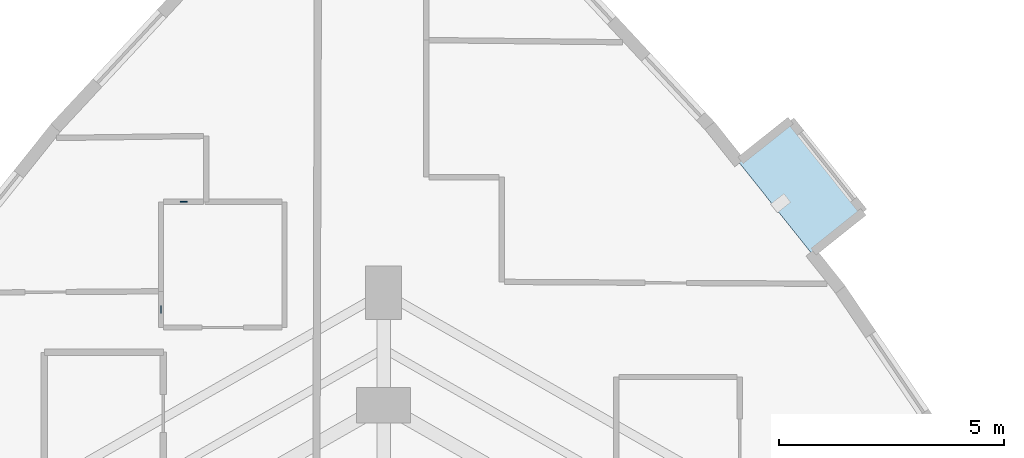
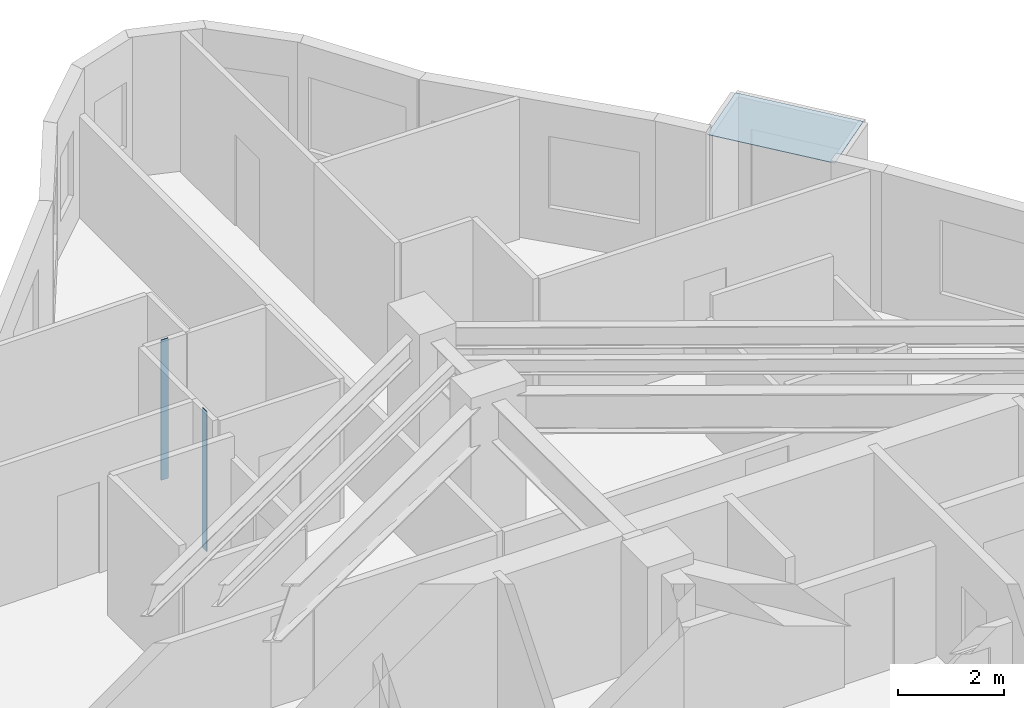
# One storey, part 7 of 14: 3 plates.
"""IFC4 building model written with IfcOpenShell, lengths in metres."""

import ifcopenshell
import ifcopenshell.guid

model = None  # the IFC model being written
_history = None  # IfcOwnerHistory: only IFC2X3 demands one
_inside = {}  # id of a spatial element -> (the spatial element, [elements in it])
_under = {}  # id of a project, library or spatial element -> (it, [spatial elements below it])
_declared = {}  # id of a project -> (the project, [libraries it declares])
_typed = {}  # id of a type object -> (the type object, [elements of that type])
_made_of = {}  # id of a material, layer set ... -> (it, [elements and type objects made of it])


def new_model(schema):
    """Start an empty IFC model of exactly this schema.

    Asked for "IFC4X3", IfcOpenShell would pick the latest addendum, in which some entities
    have other attributes; the version numbers below select the first issue.
    IFC2X3 requires an IfcOwnerHistory on every rooted entity: one is made here for all.
    """
    global model, _history
    if schema == "IFC4X3":
        model = ifcopenshell.file(schema_version=(4, 3, 0, 0))
    else:
        model = ifcopenshell.file(schema=schema)
    _inside.clear()
    _under.clear()
    _declared.clear()
    _typed.clear()
    _made_of.clear()
    _history = None
    if model.schema == "IFC2X3":
        org = make("IfcOrganization", Name="unknown")
        user = make(
            "IfcPersonAndOrganization",
            ThePerson=make("IfcPerson", FamilyName="unknown"),
            TheOrganization=org,
        )
        app = make(
            "IfcApplication",
            ApplicationDeveloper=org,
            Version="unknown",
            ApplicationFullName="unknown",
            ApplicationIdentifier="unknown",
        )
        _history = make(
            "IfcOwnerHistory",
            OwningUser=user,
            OwningApplication=app,
            ChangeAction="ADDED",
            CreationDate=0,
        )
    return model


def make(cls, **values):
    """One entity of the class cls with the attributes given. An attribute that is None is left unset."""
    return model.create_entity(
        cls, **{name: value for name, value in values.items() if value is not None}
    )


def rooted(cls, **values):
    """An entity with a GlobalId (a new one), such as an element, a storey or a relation."""
    return make(cls, GlobalId=ifcopenshell.guid.new(), OwnerHistory=_history, **values)


def si_unit(unit_type, name, prefix=None):
    """IfcSIUnit, for example si_unit("LENGTHUNIT", "METRE", prefix="MILLI")."""
    return make("IfcSIUnit", UnitType=unit_type, Prefix=prefix, Name=name)


def assignment(units):
    """IfcUnitAssignment: the units of a project."""
    return None if units is None else make("IfcUnitAssignment", Units=units)


def point(xyz):
    """IfcCartesianPoint."""
    return None if xyz is None else make("IfcCartesianPoint", Coordinates=xyz)


def direction(xyz):
    """IfcDirection."""
    return None if xyz is None else make("IfcDirection", DirectionRatios=xyz)


def frame(location, z_axis=None, x_axis=None):
    """IfcAxis2Placement3D, a coordinate frame: its origin and axes. An axis left out is left unset."""
    return make(
        "IfcAxis2Placement3D",
        Location=point(location),
        Axis=direction(z_axis),
        RefDirection=direction(x_axis),
    )


def frame_2d(location, x_axis=None):
    """IfcAxis2Placement2D, a coordinate frame in the plane: its origin and x axis."""
    return make(
        "IfcAxis2Placement2D", Location=point(location), RefDirection=direction(x_axis)
    )


def origin():
    """The frame at (0, 0, 0) with its axes left unset."""
    return frame((0.0, 0.0, 0.0))


def origin_2d():
    """The frame at (0, 0) in the plane with its x axis left unset."""
    return frame_2d((0.0, 0.0))


def place(relative_to, where):
    """IfcLocalPlacement: puts the frame where relative to a parent placement (None: the world)."""
    return make(
        "IfcLocalPlacement", PlacementRelTo=relative_to, RelativePlacement=where
    )


def context(
    kind, dimensions, precision=None, world=None, true_north=None, identifier=None
):
    """IfcGeometricRepresentationContext, for example the 3D "Model" context."""
    return make(
        "IfcGeometricRepresentationContext",
        ContextIdentifier=identifier,
        ContextType=kind,
        CoordinateSpaceDimension=dimensions,
        Precision=precision,
        WorldCoordinateSystem=world,
        TrueNorth=true_north,
    )


def subcontext(parent, identifier, kind, view, scale=None):
    """IfcGeometricRepresentationSubContext, for example "Body" below "Model"."""
    return make(
        "IfcGeometricRepresentationSubContext",
        ContextIdentifier=identifier,
        ContextType=kind,
        ParentContext=parent,
        TargetScale=scale,
        TargetView=view,
    )


def project(units=None, contexts=None):
    """IfcProject with its units and contexts."""
    return rooted(
        "IfcProject",
        Name="project",
        RepresentationContexts=contexts,
        UnitsInContext=assignment(units),
    )


def spatial(cls, under=None, at=None, **own):
    """A site, building, storey or space (cls), placed at a placement, below another one or the project."""
    s = rooted(cls, ObjectPlacement=at, **own)
    if under is not None:
        _under.setdefault(under.id(), (under, []))[1].append(s)
    return s


def polyline(points):
    """IfcPolyline through the points."""
    return make("IfcPolyline", Points=[point(p) for p in points])


def profile(cls, at=None, kind="AREA", **sizes):
    """A parametric profile (cls). Its sizes go by their IFC names, for example OverallWidth=200.0."""
    return make(cls, ProfileType=kind, Position=at, **sizes)


def rectangle(**sizes):
    """IfcRectangleProfileDef."""
    return profile("IfcRectangleProfileDef", **sizes)


def outline(outer, holes=None, kind="AREA"):
    """IfcArbitraryClosedProfileDef: a profile drawn as a closed curve; with holes, ...WithVoids."""
    if holes is None:
        return make("IfcArbitraryClosedProfileDef", ProfileType=kind, OuterCurve=outer)
    return make(
        "IfcArbitraryProfileDefWithVoids",
        ProfileType=kind,
        OuterCurve=outer,
        InnerCurves=holes,
    )


def extrude(swept, where, along, depth):
    """IfcExtrudedAreaSolid: the profile swept, set in the frame where, extruded along a direction by depth."""
    return make(
        "IfcExtrudedAreaSolid",
        SweptArea=swept,
        Position=where,
        ExtrudedDirection=direction(along),
        Depth=depth,
    )


def shape(context_of_items, identifier, shape_type, items):
    """IfcShapeRepresentation: the items that make up one representation, for example the "Body"."""
    return make(
        "IfcShapeRepresentation",
        ContextOfItems=context_of_items,
        RepresentationIdentifier=identifier,
        RepresentationType=shape_type,
        Items=items,
    )


def material(Name=None, Category=None):
    """IfcMaterial."""
    return make("IfcMaterial", Name=Name, Category=Category)


def layer(
    of_material, thickness, ventilated=None, Name=None, Category=None, Priority=None
):
    """IfcMaterialLayer: one layer of a wall or slab, of a material (None: an air gap)."""
    return make(
        "IfcMaterialLayer",
        Material=of_material,
        LayerThickness=thickness,
        IsVentilated=ventilated,
        Name=Name,
        Category=Category,
        Priority=Priority,
    )


def layer_set(layers, Name=None):
    """IfcMaterialLayerSet."""
    return make("IfcMaterialLayerSet", MaterialLayers=layers, LayerSetName=Name)


def made_of(thing, what):
    """Note that an element or type object is made of a material, layer set ...; save() writes the relation."""
    if what is not None:
        _made_of.setdefault(what.id(), (what, []))[1].append(thing)
    return thing


def type_object(cls, material=None, **own):
    """A type object (cls), such as IfcWallType, which elements share."""
    return made_of(rooted(cls, **own), material)


def element(
    cls,
    number,
    at=None,
    inside=None,
    cuts=None,
    type_object=None,
    material=None,
    context=None,
    identifier="Body",
    shape_type=None,
    held_by="IfcProductDefinitionShape",
    body=None,
    shapes=None,
    **own,
):
    """One element of the class cls, such as IfcWall. Its Tag is "e" and its number.

    at: its placement. inside: the storey or other place that contains it. cuts: it is an
    opening in that element (IfcRelVoidsElement). A single representation is given by context,
    identifier, shape_type and body (its items); several are given by shapes. held_by: the class
    of the entity that holds the representations. save() writes the other relations.
    """
    e = rooted(cls, Tag="e%d" % number, ObjectPlacement=at, **own)
    if body is not None:
        shapes = [shape(context, identifier, shape_type, body)]
    if shapes is not None:
        e.Representation = make(held_by, Representations=shapes)
    if inside is not None:
        _inside.setdefault(inside.id(), (inside, []))[1].append(e)
    if cuts is not None:
        rooted(
            "IfcRelVoidsElement", RelatingBuildingElement=cuts, RelatedOpeningElement=e
        )
    if type_object is not None:
        _typed.setdefault(type_object.id(), (type_object, []))[1].append(e)
    return made_of(e, material)


def aggregate(whole, parts):
    """IfcRelAggregates: a whole, such as a stair, and the parts it consists of."""
    return rooted("IfcRelAggregates", RelatingObject=whole, RelatedObjects=parts)


def save(model, path):
    """Write the relations noted so far, then the file.

    IfcRelAggregates (storeys below a building ...), IfcRelContainedInSpatialStructure (elements
    in a storey), IfcRelDefinesByType, IfcRelAssociatesMaterial and IfcRelDeclares: one each for
    every whole, place, type object, material and project.
    """
    for whole, parts in _under.values():
        aggregate(whole, parts)
    for where, things in _inside.values():
        rooted(
            "IfcRelContainedInSpatialStructure",
            RelatedElements=things,
            RelatingStructure=where,
        )
    for kind, things in _typed.values():
        rooted("IfcRelDefinesByType", RelatedObjects=things, RelatingType=kind)
    for what, things in _made_of.values():
        rooted("IfcRelAssociatesMaterial", RelatedObjects=things, RelatingMaterial=what)
    for by, libraries in _declared.values():
        rooted("IfcRelDeclares", RelatingContext=by, RelatedDefinitions=libraries)
    model.write(path)


model = new_model("IFC4")

# Units and contexts
model_context = context("Model", 3, precision=1e-05, world=origin(), true_north=direction((0.0, 1.0)))
body_context = subcontext(model_context, "Body", "Model", "MODEL_VIEW")
ifc_project = project(units=[si_unit("LENGTHUNIT", "METRE"), si_unit("AREAUNIT", "SQUARE_METRE"), si_unit("VOLUMEUNIT", "CUBIC_METRE"), si_unit("PLANEANGLEUNIT", "RADIAN"), si_unit("MASSUNIT", "GRAM", prefix="KILO")], contexts=[model_context])

# Site, building, storey
site_placement = place(None, origin())
site = spatial("IfcSite", under=ifc_project, at=site_placement, CompositionType="ELEMENT")
building_placement = place(site_placement, origin())
building = spatial("IfcBuilding", under=site, at=building_placement, Name="Miruveldt Soraemaru", CompositionType="ELEMENT")
storey_placement = place(building_placement, frame((0.0, 0.0, 117.89990234375)))
storey = spatial("IfcBuildingStorey", under=building, at=storey_placement, Name="L32", CompositionType="ELEMENT", Elevation=117.89990234375)

# Plates
ifc_material_1 = material(Name="Anodised aluminium EN AW-6063 T6", Category="aluminium")
ifc_layer_1 = layer(ifc_material_1, 0.02001953125, Name="Anodised aluminium EN AW-6063 T6", Category="aluminium")
ifc_layer_set_1 = layer_set([ifc_layer_1], Name="Anodised aluminium EN AW-6063 T6")
plate_type_1 = type_object("IfcPlateType", Name="PLT-PART-TRIM", PredefinedType="SHEET", material=ifc_layer_set_1)
for number, where, z_axis, x_axis, name in (
    (1, (39.0439453125, 59.7333984375, 0.0), (0.0, 0.0, 1.0), (0.0, -1.0, 0.0), "L32 Partition Step Corner Trim Plate 016"),
    (2, (39.547119140625, 62.1298828125, 0.0), (0.0, 0.0, 1.0), (-1.0, 0.0, 0.0), "L32 Partition Step Corner Trim Plate 023"),
):
    element("IfcPlate", number, at=place(storey_placement, frame(where, z_axis=z_axis, x_axis=x_axis)), inside=storey, type_object=plate_type_1, Name=name, PredefinedType="SHEET", context=body_context, shape_type="SweptSolid", body=[
        extrude(rectangle(XDim=0.159912109375, YDim=0.02001953125, at=origin_2d()), origin(), (0.0, 0.0, 1.0), 3.235107421875),
    ])
ifc_material_2 = material(Name="Standing-seam titanium-zinc sheet", Category="aluminium")
ifc_layer_2 = layer(ifc_material_2, 0.011962890625, Name="Standing-seam titanium-zinc sheet", Category="aluminium")
ifc_layer_set_2 = layer_set([ifc_layer_2], Name="Standing-seam titanium-zinc sheet")
plate_type_2 = type_object("IfcPlateType", Name="PLT-ZINC-12", PredefinedType="SHEET", material=ifc_layer_set_2)
plate_placement = place(storey_placement, frame((0.0, 0.0, 3.085205078125)))
element("IfcPlate", 3, at=plate_placement, inside=storey, type_object=plate_type_2, Name="L32 Bay Window Zinc Hood Sheet 4", PredefinedType="SHEET", context=body_context, shape_type="SweptSolid", body=[
    extrude(outline(polyline([(53.52734375, 60.983154296875), (51.906005859375, 63.015625), (53.06298828125, 63.938720703125), (54.684326171875, 61.906005859375), (53.52734375, 60.983154296875)])), origin(), (0.0, 0.0, 1.0), 0.011962890625),
])

save(model, "model.ifc")
